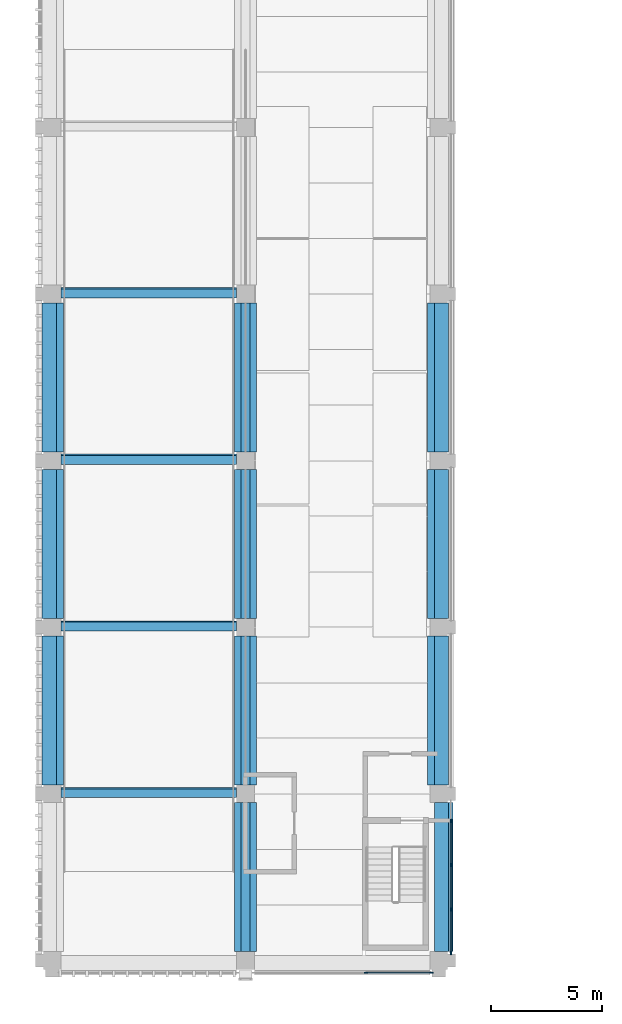
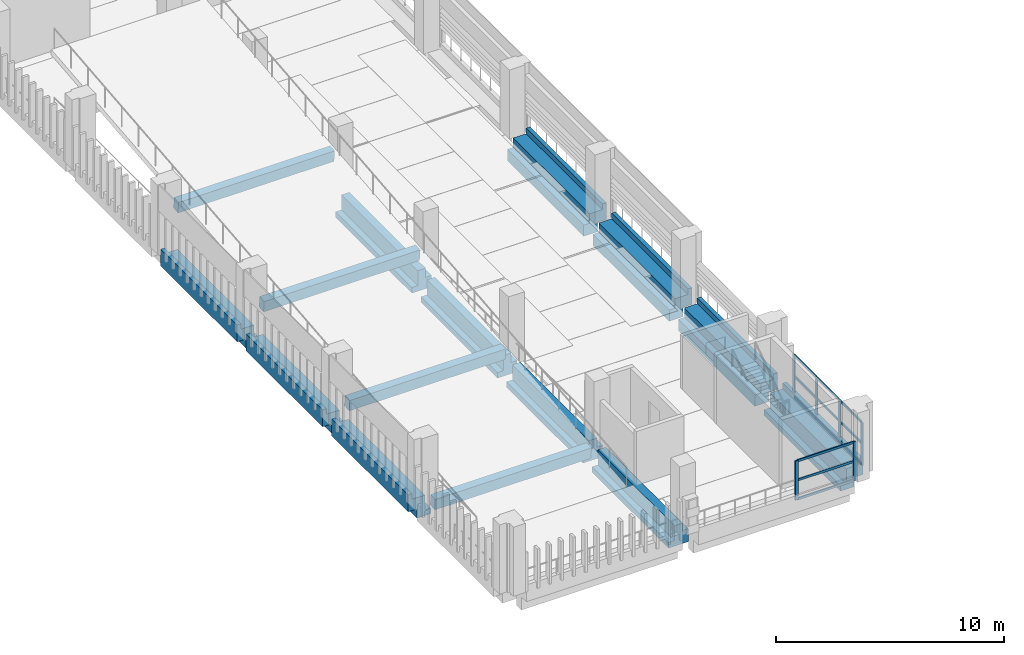
# One storey, part 2 of 71: 18 members, 15 beams, 2 elements without a shape of their own.
"""IFC4 building model written with IfcOpenShell, lengths in metres."""

from ifc_helpers import new_model, si_unit, direction, frame, origin, origin_2d, place, context, subcontext, project, spatial, polyline, rectangle, outline, extrude, material, layer, layer_set, material_profile, profile_set, type_object, element, aggregate, save


model = new_model("IFC4")

# Units and contexts
model_context = context("Model", 3, precision=1e-05, world=origin(), true_north=direction((0.0, 1.0)))
body_context = subcontext(model_context, "Body", "Model", "MODEL_VIEW")
ifc_project = project(units=[si_unit("LENGTHUNIT", "METRE"), si_unit("AREAUNIT", "SQUARE_METRE"), si_unit("VOLUMEUNIT", "CUBIC_METRE"), si_unit("PLANEANGLEUNIT", "RADIAN"), si_unit("MASSUNIT", "GRAM", prefix="KILO")], contexts=[model_context])

# Site, building, storey
site_placement = place(None, origin())
site = spatial("IfcSite", under=ifc_project, at=site_placement, CompositionType="ELEMENT")
building_placement = place(site_placement, origin())
building = spatial("IfcBuilding", under=site, at=building_placement, Name="Cour d'Honneur Mobility Palace", CompositionType="ELEMENT")
storey_placement = place(building_placement, frame((0.0, 0.0, 15.60009765625)))
storey = spatial("IfcBuildingStorey", under=building, at=storey_placement, Name="L04", CompositionType="ELEMENT", Elevation=15.60009765625)

# Curtain wall, members
ifc_material_1 = material(Name="Aluminium and glass", Category="aluminium")
ifc_layer = layer(ifc_material_1, 0.10009765625)
ifc_layer_set = layer_set([ifc_layer], Name="Aluminium and glass")
curtain_wall_type = type_object("IfcCurtainWallType", Name="Curtain wall run", PredefinedType="NOTDEFINED", material=ifc_layer_set)
curtain_wall_1_placement = place(storey_placement, origin())
curtain_wall_1 = element("IfcCurtainWall", 1, at=curtain_wall_1_placement, inside=storey, type_object=curtain_wall_type, Name="Curtain wall CW-159", PredefinedType="NOTDEFINED")
ifc_material_2 = material(Name="Aluminium", Category="aluminium")
ifc_material_profile_1 = material_profile(ifc_material_2, rectangle(XDim=0.06005859375, YDim=0.159912109375, at=origin_2d()), Name="Curtain wall mullion")
ifc_profile_set_1 = profile_set([ifc_material_profile_1], Name="Aluminium")
member_type_1 = type_object("IfcMemberType", Name="Curtain wall mullion", PredefinedType="MULLION", material=ifc_profile_set_1)
member_1_placement = place(storey_placement, frame((14.1298828125, -0.550048828125, 0.0), z_axis=(0.0, 0.0, 1.0), x_axis=(0.0, 1.0, 0.0)))
member_1 = element("IfcMember", 2, at=member_1_placement, type_object=member_type_1, Name="CW-159 mullion 1", PredefinedType="MULLION", context=body_context, shape_type="SweptSolid", body=[
    extrude(rectangle(XDim=0.06005859375, YDim=0.159912109375, at=origin_2d()), origin(), (0.0, 0.0, 1.0), 2.099853515625),
])
member_2_placement = place(storey_placement, frame((17.070068359375, -0.550048828125, 0.0), z_axis=(0.0, 0.0, 1.0), x_axis=(0.0, 1.0, 0.0)))
member_2 = element("IfcMember", 3, at=member_2_placement, type_object=member_type_1, Name="CW-159 mullion 2", PredefinedType="MULLION", context=body_context, shape_type="SweptSolid", body=[
    extrude(rectangle(XDim=0.06005859375, YDim=0.159912109375, at=origin_2d()), origin(), (0.0, 0.0, 1.0), 2.099853515625),
])

curtain_wall_2_placement = place(storey_placement, origin())
curtain_wall_2 = element("IfcCurtainWall", 4, at=curtain_wall_2_placement, inside=storey, type_object=curtain_wall_type, Name="Curtain wall CW-160", PredefinedType="NOTDEFINED")
member_3_placement = place(storey_placement, frame((17.949951171875, 0.330078125, 0.0), z_axis=(0.0, 0.0, 1.0), x_axis=(-1.0, 0.0, 0.0)))
member_3 = element("IfcMember", 5, at=member_3_placement, type_object=member_type_1, Name="CW-160 mullion 1", PredefinedType="MULLION", context=body_context, shape_type="SweptSolid", body=[
    extrude(rectangle(XDim=0.06005859375, YDim=0.159912109375, at=origin_2d()), origin(), (0.0, 0.0, 1.0), 2.2998046875),
])
member_4_placement = place(storey_placement, frame((17.949951171875, 2.300048828125, 0.0), z_axis=(0.0, 0.0, 1.0), x_axis=(-1.0, 0.0, 0.0)))
member_4 = element("IfcMember", 6, at=member_4_placement, type_object=member_type_1, Name="CW-160 mullion 2", PredefinedType="MULLION", context=body_context, shape_type="SweptSolid", body=[
    extrude(rectangle(XDim=0.06005859375, YDim=0.159912109375, at=origin_2d()), origin(), (0.0, 0.0, 1.0), 2.2998046875),
])
member_5_placement = place(storey_placement, frame((17.949951171875, 4.300048828125, 0.0), z_axis=(0.0, 0.0, 1.0), x_axis=(-1.0, 0.0, 0.0)))
member_5 = element("IfcMember", 7, at=member_5_placement, type_object=member_type_1, Name="CW-160 mullion 3", PredefinedType="MULLION", context=body_context, shape_type="SweptSolid", body=[
    extrude(rectangle(XDim=0.06005859375, YDim=0.159912109375, at=origin_2d()), origin(), (0.0, 0.0, 1.0), 2.2998046875),
])
member_6_placement = place(storey_placement, frame((17.949951171875, 6.27001953125, 0.0), z_axis=(0.0, 0.0, 1.0), x_axis=(-1.0, 0.0, 0.0)))
member_6 = element("IfcMember", 8, at=member_6_placement, type_object=member_type_1, Name="CW-160 mullion 4", PredefinedType="MULLION", context=body_context, shape_type="SweptSolid", body=[
    extrude(rectangle(XDim=0.06005859375, YDim=0.159912109375, at=origin_2d()), origin(), (0.0, 0.0, 1.0), 2.2998046875),
])

# Member
ifc_material_3 = material(Name="Aluminium", Category="aluminium")
ifc_material_profile_2 = material_profile(ifc_material_3, rectangle(XDim=0.06005859375, YDim=0.1201171875, at=origin_2d()), Name="Curtain wall transom")
ifc_profile_set_2 = profile_set([ifc_material_profile_2], Name="Aluminium")
member_type_2 = type_object("IfcMemberType", Name="Curtain wall transom", PredefinedType="USERDEFINED", material=ifc_profile_set_2)
member_7_placement = place(storey_placement, frame((14.159912109375, -0.550048828125, 0.02978515625), z_axis=(1.0, 0.0, 0.0), x_axis=(0.0, 1.0, 0.0)))
member_7 = element("IfcMember", 9, at=member_7_placement, type_object=member_type_2, Name="CW-159 transom 1.1", ObjectType="TRANSOM", PredefinedType="USERDEFINED", context=body_context, shape_type="SweptSolid", body=[
    extrude(rectangle(XDim=0.06005859375, YDim=0.1201171875, at=origin_2d()), origin(), (0.0, 0.0, 1.0), 2.880126953125),
])

member_8_placement = place(storey_placement, frame((14.159912109375, -0.550048828125, 1.0498046875), z_axis=(1.0, 0.0, 0.0), x_axis=(0.0, 1.0, 0.0)))
member_8 = element("IfcMember", 10, at=member_8_placement, type_object=member_type_2, Name="CW-159 transom 1.2", ObjectType="TRANSOM", PredefinedType="USERDEFINED", context=body_context, shape_type="SweptSolid", body=[
    extrude(rectangle(XDim=0.06005859375, YDim=0.1201171875, at=origin_2d()), origin(), (0.0, 0.0, 1.0), 2.880126953125),
])

member_9_placement = place(storey_placement, frame((14.159912109375, -0.550048828125, 2.06982421875), z_axis=(1.0, 0.0, 0.0), x_axis=(0.0, 1.0, 0.0)))
member_9 = element("IfcMember", 11, at=member_9_placement, type_object=member_type_2, Name="CW-159 transom 1.3", ObjectType="TRANSOM", PredefinedType="USERDEFINED", context=body_context, shape_type="SweptSolid", body=[
    extrude(rectangle(XDim=0.06005859375, YDim=0.1201171875, at=origin_2d()), origin(), (0.0, 0.0, 1.0), 2.880126953125),
])

aggregate(curtain_wall_1, [member_1, member_2, member_7, member_8, member_9])

member_10_placement = place(storey_placement, frame((17.949951171875, 0.360107421875, 0.02978515625), z_axis=(0.0, 1.0, 0.0), x_axis=(-1.0, 0.0, 0.0)))
member_10 = element("IfcMember", 12, at=member_10_placement, type_object=member_type_2, Name="CW-160 transom 1.1", ObjectType="TRANSOM", PredefinedType="USERDEFINED", context=body_context, shape_type="SweptSolid", body=[
    extrude(rectangle(XDim=0.06005859375, YDim=0.1201171875, at=origin_2d()), origin(), (0.0, 0.0, 1.0), 1.909912109375),
])

member_11_placement = place(storey_placement, frame((17.949951171875, 0.360107421875, 1.14990234375), z_axis=(0.0, 1.0, 0.0), x_axis=(-1.0, 0.0, 0.0)))
member_11 = element("IfcMember", 13, at=member_11_placement, type_object=member_type_2, Name="CW-160 transom 1.2", ObjectType="TRANSOM", PredefinedType="USERDEFINED", context=body_context, shape_type="SweptSolid", body=[
    extrude(rectangle(XDim=0.06005859375, YDim=0.1201171875, at=origin_2d()), origin(), (0.0, 0.0, 1.0), 1.909912109375),
])

member_12_placement = place(storey_placement, frame((17.949951171875, 0.360107421875, 2.27001953125), z_axis=(0.0, 1.0, 0.0), x_axis=(-1.0, 0.0, 0.0)))
member_12 = element("IfcMember", 14, at=member_12_placement, type_object=member_type_2, Name="CW-160 transom 1.3", ObjectType="TRANSOM", PredefinedType="USERDEFINED", context=body_context, shape_type="SweptSolid", body=[
    extrude(rectangle(XDim=0.06005859375, YDim=0.1201171875, at=origin_2d()), origin(), (0.0, 0.0, 1.0), 1.909912109375),
])

member_13_placement = place(storey_placement, frame((17.949951171875, 2.330078125, 0.02978515625), z_axis=(0.0, 1.0, 0.0), x_axis=(-1.0, 0.0, 0.0)))
member_13 = element("IfcMember", 15, at=member_13_placement, type_object=member_type_2, Name="CW-160 transom 2.1", ObjectType="TRANSOM", PredefinedType="USERDEFINED", context=body_context, shape_type="SweptSolid", body=[
    extrude(rectangle(XDim=0.06005859375, YDim=0.1201171875, at=origin_2d()), origin(), (0.0, 0.0, 1.0), 1.93994140625),
])

member_14_placement = place(storey_placement, frame((17.949951171875, 2.330078125, 1.14990234375), z_axis=(0.0, 1.0, 0.0), x_axis=(-1.0, 0.0, 0.0)))
member_14 = element("IfcMember", 16, at=member_14_placement, type_object=member_type_2, Name="CW-160 transom 2.2", ObjectType="TRANSOM", PredefinedType="USERDEFINED", context=body_context, shape_type="SweptSolid", body=[
    extrude(rectangle(XDim=0.06005859375, YDim=0.1201171875, at=origin_2d()), origin(), (0.0, 0.0, 1.0), 1.93994140625),
])

member_15_placement = place(storey_placement, frame((17.949951171875, 2.330078125, 2.27001953125), z_axis=(0.0, 1.0, 0.0), x_axis=(-1.0, 0.0, 0.0)))
member_15 = element("IfcMember", 17, at=member_15_placement, type_object=member_type_2, Name="CW-160 transom 2.3", ObjectType="TRANSOM", PredefinedType="USERDEFINED", context=body_context, shape_type="SweptSolid", body=[
    extrude(rectangle(XDim=0.06005859375, YDim=0.1201171875, at=origin_2d()), origin(), (0.0, 0.0, 1.0), 1.93994140625),
])

member_16_placement = place(storey_placement, frame((17.949951171875, 4.330078125, 0.02978515625), z_axis=(0.0, 1.0, 0.0), x_axis=(-1.0, 0.0, 0.0)))
member_16 = element("IfcMember", 18, at=member_16_placement, type_object=member_type_2, Name="CW-160 transom 3.1", ObjectType="TRANSOM", PredefinedType="USERDEFINED", context=body_context, shape_type="SweptSolid", body=[
    extrude(rectangle(XDim=0.06005859375, YDim=0.1201171875, at=origin_2d()), origin(), (0.0, 0.0, 1.0), 1.909912109375),
])

member_17_placement = place(storey_placement, frame((17.949951171875, 4.330078125, 1.14990234375), z_axis=(0.0, 1.0, 0.0), x_axis=(-1.0, 0.0, 0.0)))
member_17 = element("IfcMember", 19, at=member_17_placement, type_object=member_type_2, Name="CW-160 transom 3.2", ObjectType="TRANSOM", PredefinedType="USERDEFINED", context=body_context, shape_type="SweptSolid", body=[
    extrude(rectangle(XDim=0.06005859375, YDim=0.1201171875, at=origin_2d()), origin(), (0.0, 0.0, 1.0), 1.909912109375),
])

member_18_placement = place(storey_placement, frame((17.949951171875, 4.330078125, 2.27001953125), z_axis=(0.0, 1.0, 0.0), x_axis=(-1.0, 0.0, 0.0)))
member_18 = element("IfcMember", 20, at=member_18_placement, type_object=member_type_2, Name="CW-160 transom 3.3", ObjectType="TRANSOM", PredefinedType="USERDEFINED", context=body_context, shape_type="SweptSolid", body=[
    extrude(rectangle(XDim=0.06005859375, YDim=0.1201171875, at=origin_2d()), origin(), (0.0, 0.0, 1.0), 1.909912109375),
])

aggregate(curtain_wall_2, [member_3, member_4, member_5, member_6, member_10, member_11, member_12, member_13, member_14, member_15, member_16, member_17, member_18])

# Beams
ifc_material_4 = material(Name="Concrete C45", Category="concrete")
ifc_material_profile_3 = material_profile(ifc_material_4, outline(polyline([(0.5, -1.10009765625), (0.5, -0.800048828125), (0.199951171875, -0.800048828125), (0.199951171875, 0.0), (-0.199951171875, 0.0), (-0.199951171875, -0.5), (-0.5, -0.5), (-0.5, -1.10009765625), (0.5, -1.10009765625)])), Name="Inverted Tee Beam 400x1100 ledges 300/600 plain")
ifc_profile_set_3 = profile_set([ifc_material_profile_3], Name="Concrete C45")
beam_type_1 = type_object("IfcBeamType", Name="Inverted Tee Beam 400x1100 ledges 300/600 plain", PredefinedType="T_BEAM", material=ifc_profile_set_3)
for number, where, z_axis, x_axis, name in (
    (21, (8.699951171875, 7.89990234375, 0.0), (0.0, 1.0, 0.0), (-1.0, 0.0, 0.0), "Precast beam B11 B-C L04"),
    (22, (8.699951171875, 15.39990234375, 0.0), (0.0, 1.0, 0.0), (-1.0, 0.0, 0.0), "Precast beam B11 C-D L04"),
    (23, (8.699951171875, 22.89990234375, 0.0), (0.0, 1.0, 0.0), (-1.0, 0.0, 0.0), "Precast beam B11 D-E L04"),
):
    element("IfcBeam", number, at=place(storey_placement, frame(where, z_axis=z_axis, x_axis=x_axis)), inside=storey, type_object=beam_type_1, Name=name, PredefinedType="T_BEAM", context=body_context, shape_type="SweptSolid", body=[
        extrude(outline(polyline([(0.5, -1.10009765625), (0.5, -0.800048828125), (0.199951171875, -0.800048828125), (0.199951171875, 0.0), (-0.199951171875, 0.0), (-0.199951171875, -0.5), (-0.5, -0.5), (-0.5, -1.10009765625), (0.5, -1.10009765625)])), origin(), (0.0, 0.0, 1.0), 6.7001953125),
    ])
ifc_material_5 = material(Name="Concrete C45", Category="concrete")
ifc_material_profile_4 = material_profile(ifc_material_5, outline(polyline([(0.5, -1.10009765625), (0.5, -0.800048828125), (0.199951171875, -0.800048828125), (0.199951171875, 0.0), (-0.199951171875, 0.0), (-0.199951171875, -0.39990234375), (-0.5, -0.39990234375), (-0.5, -1.10009765625), (0.5, -1.10009765625)])), Name="Inverted Tee Beam 400x1100 ledges 300/700 plain")
ifc_profile_set_4 = profile_set([ifc_material_profile_4], Name="Concrete C45")
beam_type_2 = type_object("IfcBeamType", Name="Inverted Tee Beam 400x1100 ledges 300/700 plain", PredefinedType="T_BEAM", material=ifc_profile_set_4)
beam_1_placement = place(storey_placement, frame((8.699951171875, 0.39990234375, 0.0), z_axis=(0.0, 1.0, 0.0), x_axis=(-1.0, 0.0, 0.0)))
element("IfcBeam", 24, at=beam_1_placement, inside=storey, type_object=beam_type_2, Name="Precast beam B10 A-B L04", PredefinedType="T_BEAM", context=body_context, shape_type="SweptSolid", body=[
    extrude(outline(polyline([(0.5, -1.10009765625), (0.5, -0.800048828125), (0.199951171875, -0.800048828125), (0.199951171875, 0.0), (-0.199951171875, 0.0), (-0.199951171875, -0.39990234375), (-0.5, -0.39990234375), (-0.5, -1.10009765625), (0.5, -1.10009765625)])), origin(), (0.0, 0.0, 1.0), 6.7001953125),
])
ifc_material_6 = material(Name="Concrete C45", Category="concrete")
ifc_material_profile_5 = material_profile(ifc_material_6, outline(polyline([(0.5, -1.10009765625), (0.5, -0.800048828125), (0.199951171875, -0.800048828125), (0.199951171875, 0.0), (-0.199951171875, 0.0), (-0.449951171875, 0.0), (-0.449951171875, 0.300048828125), (-0.64990234375, 0.300048828125), (-0.64990234375, -0.60009765625), (-0.199951171875, -0.60009765625), (-0.199951171875, -1.10009765625), (0.5, -1.10009765625)])), Name="Ledger Beam 400x1100 ledge left 300 facade right")
ifc_profile_set_5 = profile_set([ifc_material_profile_5], Name="Concrete C45")
beam_type_3 = type_object("IfcBeamType", Name="Ledger Beam 400x1100 ledge left 300 facade right", PredefinedType="BEAM", material=ifc_profile_set_5)
beam_2_placement = place(storey_placement, frame((17.39990234375, 0.39990234375, 0.0), z_axis=(0.0, 1.0, 0.0), x_axis=(-1.0, 0.0, 0.0)))
element("IfcBeam", 25, at=beam_2_placement, inside=storey, type_object=beam_type_3, Name="Precast beam B3 A-B L04", PredefinedType="BEAM", context=body_context, shape_type="SweptSolid", body=[
    extrude(outline(polyline([(0.5, -1.10009765625), (0.5, -0.800048828125), (0.199951171875, -0.800048828125), (0.199951171875, 0.0), (-0.199951171875, 0.0), (-0.449951171875, 0.0), (-0.449951171875, 0.300048828125), (-0.64990234375, 0.300048828125), (-0.64990234375, -0.60009765625), (-0.199951171875, -0.60009765625), (-0.199951171875, -1.10009765625), (0.5, -1.10009765625)])), origin(), (0.0, 0.0, 1.0), 6.7001953125),
])
ifc_material_7 = material(Name="Concrete C45", Category="concrete")
ifc_material_profile_6 = material_profile(ifc_material_7, outline(polyline([(0.5, -1.10009765625), (0.5, -0.5), (0.199951171875, -0.5), (0.199951171875, 0.0), (-0.199951171875, 0.0), (-0.449951171875, 0.0), (-0.449951171875, 0.300048828125), (-0.64990234375, 0.300048828125), (-0.64990234375, -0.60009765625), (-0.199951171875, -0.60009765625), (-0.199951171875, -1.10009765625), (0.5, -1.10009765625)])), Name="Ledger Beam 400x1100 ledge left 600 facade right")
ifc_profile_set_6 = profile_set([ifc_material_profile_6], Name="Concrete C45")
beam_type_4 = type_object("IfcBeamType", Name="Ledger Beam 400x1100 ledge left 600 facade right", PredefinedType="BEAM", material=ifc_profile_set_6)
for number, where, z_axis, x_axis, name in (
    (26, (17.39990234375, 7.89990234375, 0.0), (0.0, 1.0, 0.0), (-1.0, 0.0, 0.0), "Precast beam B12 B-C L04"),
    (27, (17.39990234375, 15.39990234375, 0.0), (0.0, 1.0, 0.0), (-1.0, 0.0, 0.0), "Precast beam B12 C-D L04"),
    (28, (17.39990234375, 22.89990234375, 0.0), (0.0, 1.0, 0.0), (-1.0, 0.0, 0.0), "Precast beam B12 D-E L04"),
):
    element("IfcBeam", number, at=place(storey_placement, frame(where, z_axis=z_axis, x_axis=x_axis)), inside=storey, type_object=beam_type_4, Name=name, PredefinedType="BEAM", context=body_context, shape_type="SweptSolid", body=[
        extrude(outline(polyline([(0.5, -1.10009765625), (0.5, -0.5), (0.199951171875, -0.5), (0.199951171875, 0.0), (-0.199951171875, 0.0), (-0.449951171875, 0.0), (-0.449951171875, 0.300048828125), (-0.64990234375, 0.300048828125), (-0.64990234375, -0.60009765625), (-0.199951171875, -0.60009765625), (-0.199951171875, -1.10009765625), (0.5, -1.10009765625)])), origin(), (0.0, 0.0, 1.0), 6.7001953125),
    ])
ifc_material_8 = material(Name="Concrete C45", Category="concrete")
ifc_material_profile_7 = material_profile(ifc_material_8, outline(polyline([(0.199951171875, -1.10009765625), (0.199951171875, -0.60009765625), (0.64990234375, -0.60009765625), (0.64990234375, 0.300048828125), (0.449951171875, 0.300048828125), (0.449951171875, 0.0), (0.199951171875, 0.0), (-0.199951171875, 0.0), (-0.199951171875, -0.800048828125), (-0.5, -0.800048828125), (-0.5, -1.10009765625), (0.199951171875, -1.10009765625)])), Name="Ledger Beam 400x1100 ledge right 300 facade left")
ifc_profile_set_7 = profile_set([ifc_material_profile_7], Name="Concrete C45")
beam_type_5 = type_object("IfcBeamType", Name="Ledger Beam 400x1100 ledge right 300 facade left", PredefinedType="BEAM", material=ifc_profile_set_7)
for number, where, z_axis, x_axis, name in (
    (29, (0.0, 7.89990234375, 0.0), (0.0, 1.0, 0.0), (-1.0, 0.0, 0.0), "Precast beam B6 B-C L04"),
    (30, (0.0, 15.39990234375, 0.0), (0.0, 1.0, 0.0), (-1.0, 0.0, 0.0), "Precast beam B6 C-D L04"),
    (31, (0.0, 22.89990234375, 0.0), (0.0, 1.0, 0.0), (-1.0, 0.0, 0.0), "Precast beam B6 D-E L04"),
):
    element("IfcBeam", number, at=place(storey_placement, frame(where, z_axis=z_axis, x_axis=x_axis)), inside=storey, type_object=beam_type_5, Name=name, PredefinedType="BEAM", context=body_context, shape_type="SweptSolid", body=[
        extrude(outline(polyline([(0.199951171875, -1.10009765625), (0.199951171875, -0.60009765625), (0.64990234375, -0.60009765625), (0.64990234375, 0.300048828125), (0.449951171875, 0.300048828125), (0.449951171875, 0.0), (0.199951171875, 0.0), (-0.199951171875, 0.0), (-0.199951171875, -0.800048828125), (-0.5, -0.800048828125), (-0.5, -1.10009765625), (0.199951171875, -1.10009765625)])), origin(), (0.0, 0.0, 1.0), 6.7001953125),
    ])
ifc_material_9 = material(Name="Concrete C40", Category="concrete")
ifc_material_profile_8 = material_profile(ifc_material_9, rectangle(XDim=0.39990234375, YDim=0.60009765625, at=origin_2d()), Name="Ramp cross beam 400x600")
ifc_profile_set_8 = profile_set([ifc_material_profile_8], Name="Concrete C40")
beam_type_6 = type_object("IfcBeamType", Name="Ramp cross beam 400x600", PredefinedType="BEAM", material=ifc_profile_set_8)
for number, where, z_axis, x_axis, name in (
    (32, (0.39990234375, 7.559814453125, -0.2470703125), (1.0, 0.0, 0.0), (0.0, 0.995037190449, 0.099503716633), "Ramp cross beam SW.R4-1"),
    (33, (0.39990234375, 15.059814453125, 0.5029296875), (1.0, 0.0, 0.0), (0.0, 0.995037190449, 0.099503716633), "Ramp cross beam SW.R4-2"),
    (34, (0.39990234375, 22.559814453125, 1.2529296875), (1.0, 0.0, 0.0), (0.0, 0.995037190449, 0.099503716633), "Ramp cross beam SW.R4-3"),
    (35, (0.39990234375, 30.059814453125, 2.0029296875), (1.0, 0.0, 0.0), (0.0, 0.995037190449, 0.099503716633), "Ramp cross beam SW.R4-4"),
):
    element("IfcBeam", number, at=place(storey_placement, frame(where, z_axis=z_axis, x_axis=x_axis)), inside=storey, type_object=beam_type_6, Name=name, PredefinedType="BEAM", context=body_context, shape_type="SweptSolid", body=[
        extrude(rectangle(XDim=0.39990234375, YDim=0.60009765625, at=origin_2d()), origin(), (0.0, 0.0, 1.0), 7.900146484375),
    ])

save(model, "model.ifc")
